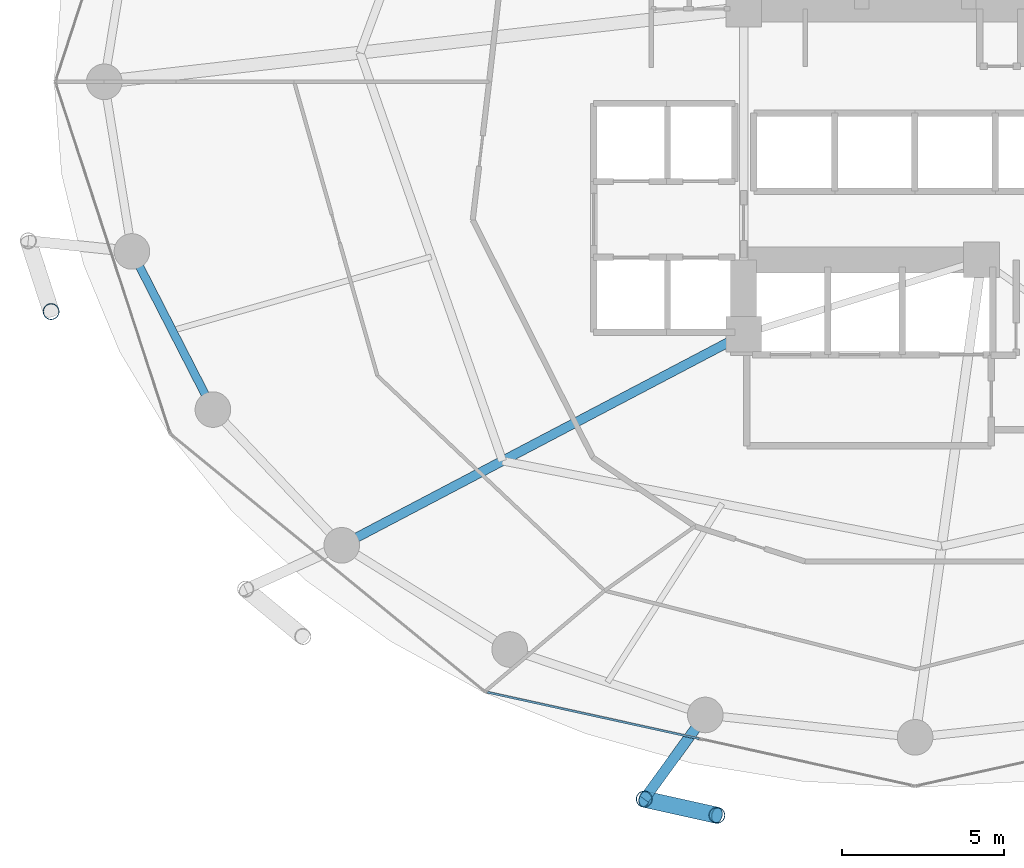
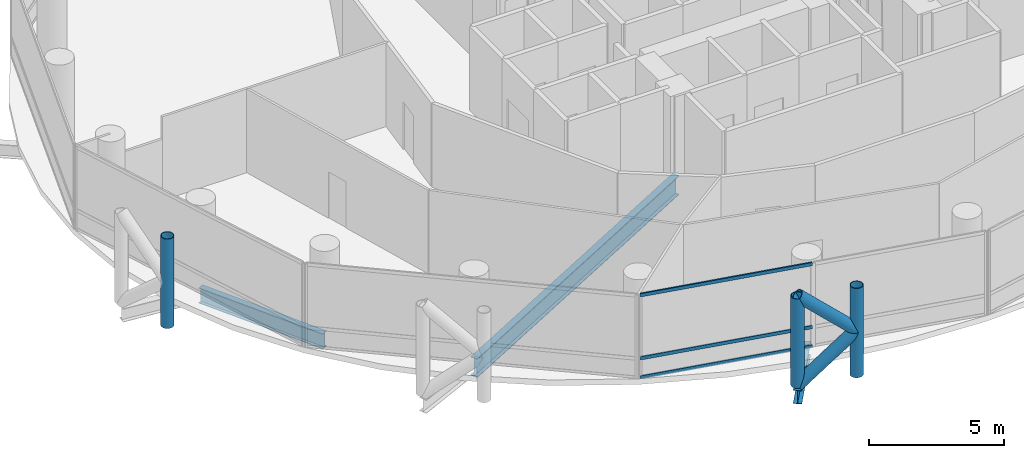
# One storey, part 3 of 24: 8 members, 3 beams, 1 element without a shape of its own.
"""IFC4 building model written with IfcOpenShell, lengths in metres."""

from ifc_helpers import new_model, si_unit, direction, frame, origin, origin_2d, place, context, subcontext, project, spatial, hollow_rectangle, hollow_circle, i_section, extrude, material, layer, layer_set, material_profile, profile_set, type_object, element, aggregate, save


model = new_model("IFC4")

# Units and contexts
model_context = context("Model", 3, precision=1e-05, world=origin(), true_north=direction((0.0, 1.0)))
body_context = subcontext(model_context, "Body", "Model", "MODEL_VIEW")
ifc_project = project(units=[si_unit("LENGTHUNIT", "METRE"), si_unit("AREAUNIT", "SQUARE_METRE"), si_unit("VOLUMEUNIT", "CUBIC_METRE"), si_unit("PLANEANGLEUNIT", "RADIAN"), si_unit("MASSUNIT", "GRAM", prefix="KILO")], contexts=[model_context])

# Site, building, storey
site_placement = place(None, origin())
site = spatial("IfcSite", under=ifc_project, at=site_placement, CompositionType="ELEMENT")
building_placement = place(site_placement, origin())
building = spatial("IfcBuilding", under=site, at=building_placement, Name="Nuhasar Tower", CompositionType="ELEMENT")
storey_placement = place(building_placement, frame((0.0, 0.0, 41.25)))
storey = spatial("IfcBuildingStorey", under=building, at=storey_placement, Name="L09", CompositionType="ELEMENT", Elevation=41.25)

# Beams
ifc_material_1 = material(Name="Steel S355", Category="steel")
ifc_material_profile_1 = material_profile(ifc_material_1, i_section(OverallWidth=0.2919921875, OverallDepth=0.85888671875, WebThickness=0.01708984375, FlangeThickness=0.031005859375, at=origin_2d()), Name="W33X169")
ifc_profile_set_1 = profile_set([ifc_material_profile_1], Name="Steel S355")
beam_type_1 = type_object("IfcBeamType", Name="BM-POD-W33X169", PredefinedType="BEAM", material=ifc_profile_set_1)
beam_1_placement = place(storey_placement, frame((33.699951171875, 19.0, -0.68896484375), z_axis=(-0.885330348705, -0.464962550816, 0.0), x_axis=(0.464962550816, -0.885330348705, 0.0)))
element("IfcBeam", 1, at=beam_1_placement, inside=storey, type_object=beam_type_1, Name="L09 Radial Floor Girder 01", PredefinedType="BEAM", context=body_context, shape_type="SweptSolid", body=[
    extrude(i_section(OverallWidth=0.2919921875, OverallDepth=0.85888671875, WebThickness=0.01708984375, FlangeThickness=0.031005859375, at=origin_2d()), origin(), (0.0, 0.0, 1.0), 14.0205078125),
])
ifc_material_profile_2 = material_profile(ifc_material_1, i_section(OverallWidth=0.256103515625, OverallDepth=0.693115234375, WebThickness=0.014404296875, FlangeThickness=0.023681640625, at=origin_2d()), Name="W27X114")
ifc_profile_set_2 = profile_set([ifc_material_profile_2], Name="Steel S355")
beam_type_2 = type_object("IfcBeamType", Name="BM-RING-W27X114", PredefinedType="SPANDREL", material=ifc_profile_set_2)
beam_2_placement = place(storey_placement, frame((14.803955078125, 21.55908203125, -0.60595703125), z_axis=(0.455930023905, -0.890015625314, 0.0), x_axis=(0.890015625314, 0.455930023905, 0.0)))
element("IfcBeam", 2, at=beam_2_placement, inside=storey, type_object=beam_type_2, Name="L09 Perimeter Ring Spandrel 14", PredefinedType="SPANDREL", context=body_context, shape_type="SweptSolid", body=[
    extrude(i_section(OverallWidth=0.256103515625, OverallDepth=0.693115234375, WebThickness=0.014404296875, FlangeThickness=0.023681640625, at=origin_2d()), origin(), (0.0, 0.0, 1.0), 5.487548828125),
])
ifc_material_profile_3 = material_profile(ifc_material_1, i_section(OverallWidth=0.323974609375, OverallDepth=0.611083984375, WebThickness=0.0126953125, FlangeThickness=0.01904296875, at=origin_2d()), Name="W24X104")
ifc_profile_set_3 = profile_set([ifc_material_profile_3], Name="Steel S355")
beam_type_3 = type_object("IfcBeamType", Name="BM-TIE-W24X104", PredefinedType="BEAM", material=ifc_profile_set_3)
beam_3_placement = place(storey_placement, frame((32.51708984375, 7.239990234375, -0.56591796875), z_axis=(-0.587403316448, -0.809294349311, 0.0), x_axis=(0.809294349311, -0.587403316448, 0.0)))
element("IfcBeam", 3, at=beam_3_placement, inside=storey, type_object=beam_type_3, Name="L09 Exoskeleton Node Tie Beam 09", PredefinedType="BEAM", context=body_context, shape_type="SweptSolid", body=[
    extrude(i_section(OverallWidth=0.323974609375, OverallDepth=0.611083984375, WebThickness=0.0126953125, FlangeThickness=0.01904296875, at=origin_2d()), origin(), (0.0, 0.0, 1.0), 3.212890625),
])

# Curtain wall, members
ifc_material_2 = material(Name="Aluminium 6063-T6", Category="aluminium")
ifc_layer = layer(ifc_material_2, 0.199951171875)
ifc_layer_set = layer_set([ifc_layer], Name="Aluminium 6063-T6")
curtain_wall_type = type_object("IfcCurtainWallType", Name="CW-Z1-OFF", PredefinedType="NOTDEFINED", material=ifc_layer_set)
curtain_wall_placement = place(storey_placement, origin())
curtain_wall = element("IfcCurtainWall", 4, at=curtain_wall_placement, inside=storey, type_object=curtain_wall_type, Name="L09 Unitised Curtain Wall 09", PredefinedType="NOTDEFINED")
ifc_material_profile_4 = material_profile(ifc_material_2, hollow_rectangle(XDim=0.06494140625, YDim=0.14990234375, WallThickness=0.00439453125, at=origin_2d()), Name="CWT-2")
ifc_profile_set_4 = profile_set([ifc_material_profile_4], Name="Aluminium 6063-T6")
member_type_1 = type_object("IfcMemberType", Name="CW-TRN-S2", PredefinedType="USERDEFINED", material=ifc_profile_set_4)
member_1_placement = place(storey_placement, frame((25.783447265625, 7.941162109375, 0.032470703125), z_axis=(0.976741923778, -0.214418316228, 0.0), x_axis=(0.214418316228, 0.976741923778, 0.0)))
member_1 = element("IfcMember", 5, at=member_1_placement, type_object=member_type_1, Name="CW-Z1 transom 1.1", ObjectType="TRANSOM", PredefinedType="USERDEFINED", context=body_context, shape_type="SweptSolid", body=[
    extrude(hollow_rectangle(XDim=0.06494140625, YDim=0.14990234375, WallThickness=0.00439453125, at=origin_2d()), origin(), (0.0, 0.0, 1.0), 6.70068359375),
])
member_2_placement = place(storey_placement, frame((25.783447265625, 7.941162109375, 0.89990234375), z_axis=(0.976741923778, -0.214418316228, 0.0), x_axis=(0.214418316228, 0.976741923778, 0.0)))
member_2 = element("IfcMember", 6, at=member_2_placement, type_object=member_type_1, Name="CW-Z1 transom 1.2", ObjectType="TRANSOM", PredefinedType="USERDEFINED", context=body_context, shape_type="SweptSolid", body=[
    extrude(hollow_rectangle(XDim=0.06494140625, YDim=0.14990234375, WallThickness=0.00439453125, at=origin_2d()), origin(), (0.0, 0.0, 1.0), 6.70068359375),
])
member_3_placement = place(storey_placement, frame((25.783447265625, 7.941162109375, 3.757568359375), z_axis=(0.976741923778, -0.214418316228, 0.0), x_axis=(0.214418316228, 0.976741923778, 0.0)))
member_3 = element("IfcMember", 7, at=member_3_placement, type_object=member_type_1, Name="CW-Z1 transom 1.3", ObjectType="TRANSOM", PredefinedType="USERDEFINED", context=body_context, shape_type="SweptSolid", body=[
    extrude(hollow_rectangle(XDim=0.06494140625, YDim=0.14990234375, WallThickness=0.00439453125, at=origin_2d()), origin(), (0.0, 0.0, 1.0), 6.70068359375),
])
aggregate(curtain_wall, [member_1, member_2, member_3])

# Members
ifc_material_3 = material(Name="Steel S460", Category="steel")
ifc_material_profile_5 = material_profile(ifc_material_3, hollow_circle(Radius=0.25390625, WallThickness=0.025390625, at=origin_2d()), Name="HSS508X25.4")
ifc_profile_set_5 = profile_set([ifc_material_profile_5], Name="Steel S460")
member_type_2 = type_object("IfcMemberType", Name="EXO-BRONZE-508", PredefinedType="BRACE", material=ifc_profile_set_5)
for number, where, z_axis, x_axis, name in (
    (8, (12.30810546875, 19.700927734375, 0.0), (0.0, 0.0, 1.0), (1.0, 0.0, 0.0), "L09 Exoskeleton Chord Column EC-07B"),
    (9, (30.6298828125, 4.639892578125, 0.0), (0.0, 0.0, 1.0), (1.0, 0.0, 0.0), "L09 Exoskeleton Chord Column EC-09A"),
    (10, (32.8759765625, 4.14111328125, 0.0), (0.0, 0.0, 1.0), (1.0, 0.0, 0.0), "L09 Exoskeleton Chord Column EC-09B"),
):
    element("IfcMember", number, at=place(storey_placement, frame(where, z_axis=z_axis, x_axis=x_axis)), inside=storey, type_object=member_type_2, Name=name, PredefinedType="BRACE", context=body_context, shape_type="SweptSolid", body=[
        extrude(hollow_circle(Radius=0.25390625, WallThickness=0.025390625, at=origin_2d()), origin(), (0.0, 0.0, 1.0), 4.050048828125),
    ])
member_4_placement = place(storey_placement, frame((30.6298828125, 4.639892578125, 0.0), z_axis=(0.732830973624, -0.162736269469, 0.66066305383), x_axis=(0.216784396973, 0.976219506683, 0.0)))
element("IfcMember", 11, at=member_4_placement, inside=storey, type_object=member_type_2, Name="L09 Bronze Diagrid Brace W1-09", PredefinedType="BRACE", context=body_context, shape_type="SweptSolid", body=[
    extrude(hollow_circle(Radius=0.25390625, WallThickness=0.025390625, at=origin_2d()), origin(), (0.0, 0.0, 1.0), 3.06494140625),
])
member_5_placement = place(storey_placement, frame((32.8759765625, 4.14111328125, 2.02490234375), z_axis=(-0.732792408767, 0.162727705556, 0.660707938122), x_axis=(-0.216784396973, -0.976219506683, 0.0)))
element("IfcMember", 12, at=member_5_placement, inside=storey, type_object=member_type_2, Name="L09 Bronze Diagrid Brace W2-09", PredefinedType="BRACE", context=body_context, shape_type="SweptSolid", body=[
    extrude(hollow_circle(Radius=0.25390625, WallThickness=0.025390625, at=origin_2d()), origin(), (0.0, 0.0, 1.0), 3.065185546875),
])

save(model, "model.ifc")
